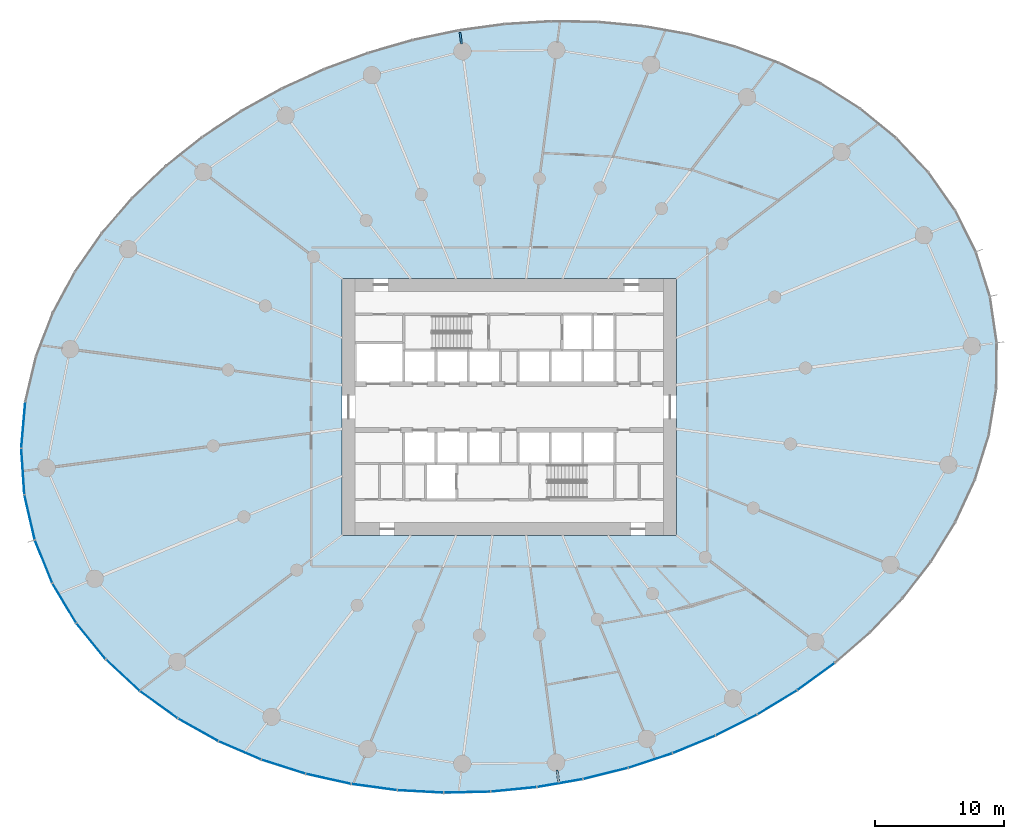
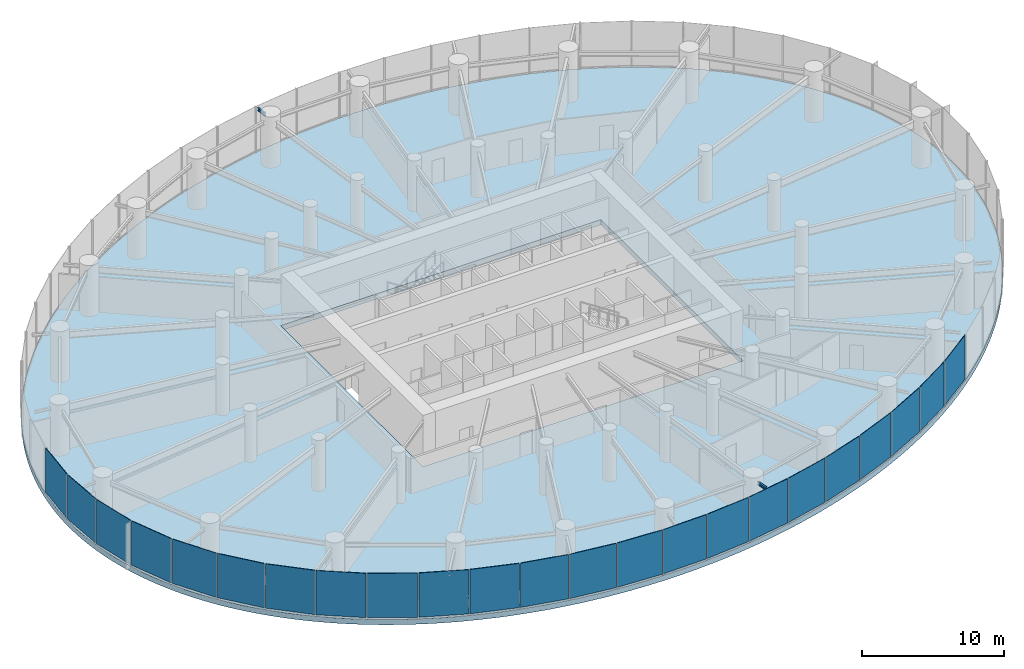
# One storey, part 9 of 18: 23 plates, 2 beams, 1 slab, 5 elements without a shape of their own.
"""IFC4 building model written with IfcOpenShell, lengths in metres."""

import ifcopenshell
import ifcopenshell.guid

model = None  # the IFC model being written
_history = None  # IfcOwnerHistory: only IFC2X3 demands one
_inside = {}  # id of a spatial element -> (the spatial element, [elements in it])
_under = {}  # id of a project, library or spatial element -> (it, [spatial elements below it])
_declared = {}  # id of a project -> (the project, [libraries it declares])
_typed = {}  # id of a type object -> (the type object, [elements of that type])
_made_of = {}  # id of a material, layer set ... -> (it, [elements and type objects made of it])


def new_model(schema):
    """Start an empty IFC model of exactly this schema.

    Asked for "IFC4X3", IfcOpenShell would pick the latest addendum, in which some entities
    have other attributes; the version numbers below select the first issue.
    IFC2X3 requires an IfcOwnerHistory on every rooted entity: one is made here for all.
    """
    global model, _history
    if schema == "IFC4X3":
        model = ifcopenshell.file(schema_version=(4, 3, 0, 0))
    else:
        model = ifcopenshell.file(schema=schema)
    _inside.clear()
    _under.clear()
    _declared.clear()
    _typed.clear()
    _made_of.clear()
    _history = None
    if model.schema == "IFC2X3":
        org = make("IfcOrganization", Name="unknown")
        user = make(
            "IfcPersonAndOrganization",
            ThePerson=make("IfcPerson", FamilyName="unknown"),
            TheOrganization=org,
        )
        app = make(
            "IfcApplication",
            ApplicationDeveloper=org,
            Version="unknown",
            ApplicationFullName="unknown",
            ApplicationIdentifier="unknown",
        )
        _history = make(
            "IfcOwnerHistory",
            OwningUser=user,
            OwningApplication=app,
            ChangeAction="ADDED",
            CreationDate=0,
        )
    return model


def make(cls, **values):
    """One entity of the class cls with the attributes given. An attribute that is None is left unset."""
    return model.create_entity(
        cls, **{name: value for name, value in values.items() if value is not None}
    )


def rooted(cls, **values):
    """An entity with a GlobalId (a new one), such as an element, a storey or a relation."""
    return make(cls, GlobalId=ifcopenshell.guid.new(), OwnerHistory=_history, **values)


def si_unit(unit_type, name, prefix=None):
    """IfcSIUnit, for example si_unit("LENGTHUNIT", "METRE", prefix="MILLI")."""
    return make("IfcSIUnit", UnitType=unit_type, Prefix=prefix, Name=name)


def assignment(units):
    """IfcUnitAssignment: the units of a project."""
    return None if units is None else make("IfcUnitAssignment", Units=units)


def point(xyz):
    """IfcCartesianPoint."""
    return None if xyz is None else make("IfcCartesianPoint", Coordinates=xyz)


def direction(xyz):
    """IfcDirection."""
    return None if xyz is None else make("IfcDirection", DirectionRatios=xyz)


def frame(location, z_axis=None, x_axis=None):
    """IfcAxis2Placement3D, a coordinate frame: its origin and axes. An axis left out is left unset."""
    return make(
        "IfcAxis2Placement3D",
        Location=point(location),
        Axis=direction(z_axis),
        RefDirection=direction(x_axis),
    )


def frame_2d(location, x_axis=None):
    """IfcAxis2Placement2D, a coordinate frame in the plane: its origin and x axis."""
    return make(
        "IfcAxis2Placement2D", Location=point(location), RefDirection=direction(x_axis)
    )


def origin():
    """The frame at (0, 0, 0) with its axes left unset."""
    return frame((0.0, 0.0, 0.0))


def origin_2d():
    """The frame at (0, 0) in the plane with its x axis left unset."""
    return frame_2d((0.0, 0.0))


def place(relative_to, where):
    """IfcLocalPlacement: puts the frame where relative to a parent placement (None: the world)."""
    return make(
        "IfcLocalPlacement", PlacementRelTo=relative_to, RelativePlacement=where
    )


def context(
    kind, dimensions, precision=None, world=None, true_north=None, identifier=None
):
    """IfcGeometricRepresentationContext, for example the 3D "Model" context."""
    return make(
        "IfcGeometricRepresentationContext",
        ContextIdentifier=identifier,
        ContextType=kind,
        CoordinateSpaceDimension=dimensions,
        Precision=precision,
        WorldCoordinateSystem=world,
        TrueNorth=true_north,
    )


def subcontext(parent, identifier, kind, view, scale=None):
    """IfcGeometricRepresentationSubContext, for example "Body" below "Model"."""
    return make(
        "IfcGeometricRepresentationSubContext",
        ContextIdentifier=identifier,
        ContextType=kind,
        ParentContext=parent,
        TargetScale=scale,
        TargetView=view,
    )


def project(units=None, contexts=None):
    """IfcProject with its units and contexts."""
    return rooted(
        "IfcProject",
        Name="project",
        RepresentationContexts=contexts,
        UnitsInContext=assignment(units),
    )


def spatial(cls, under=None, at=None, **own):
    """A site, building, storey or space (cls), placed at a placement, below another one or the project."""
    s = rooted(cls, ObjectPlacement=at, **own)
    if under is not None:
        _under.setdefault(under.id(), (under, []))[1].append(s)
    return s


def point_list(points):
    """IfcCartesianPointList2D or 3D."""
    cls = (
        "IfcCartesianPointList2D" if len(points[0]) == 2 else "IfcCartesianPointList3D"
    )
    return make(cls, CoordList=points)


def line(*indices):
    """IfcLineIndex: a straight run through numbered points of an indexed curve."""
    return model.create_entity("IfcLineIndex", indices)


def indexed_curve(points, segments=None, self_intersect=None):
    """IfcIndexedPolyCurve: lines and arcs through numbered points (the first is 1)."""
    return make(
        "IfcIndexedPolyCurve",
        Points=point_list(points),
        Segments=segments,
        SelfIntersect=self_intersect,
    )


def profile(cls, at=None, kind="AREA", **sizes):
    """A parametric profile (cls). Its sizes go by their IFC names, for example OverallWidth=200.0."""
    return make(cls, ProfileType=kind, Position=at, **sizes)


def rectangle(**sizes):
    """IfcRectangleProfileDef."""
    return profile("IfcRectangleProfileDef", **sizes)


def i_section(**sizes):
    """IfcIShapeProfileDef."""
    return profile("IfcIShapeProfileDef", **sizes)


def outline(outer, holes=None, kind="AREA"):
    """IfcArbitraryClosedProfileDef: a profile drawn as a closed curve; with holes, ...WithVoids."""
    if holes is None:
        return make("IfcArbitraryClosedProfileDef", ProfileType=kind, OuterCurve=outer)
    return make(
        "IfcArbitraryProfileDefWithVoids",
        ProfileType=kind,
        OuterCurve=outer,
        InnerCurves=holes,
    )


def extrude(swept, where, along, depth):
    """IfcExtrudedAreaSolid: the profile swept, set in the frame where, extruded along a direction by depth."""
    return make(
        "IfcExtrudedAreaSolid",
        SweptArea=swept,
        Position=where,
        ExtrudedDirection=direction(along),
        Depth=depth,
    )


def shape(context_of_items, identifier, shape_type, items):
    """IfcShapeRepresentation: the items that make up one representation, for example the "Body"."""
    return make(
        "IfcShapeRepresentation",
        ContextOfItems=context_of_items,
        RepresentationIdentifier=identifier,
        RepresentationType=shape_type,
        Items=items,
    )


def source(mapping_origin, context_of_items, identifier, shape_type, items):
    """IfcRepresentationMap: a shape defined once, which mapped items show again and again."""
    return make(
        "IfcRepresentationMap",
        MappingOrigin=mapping_origin,
        MappedRepresentation=shape(context_of_items, identifier, shape_type, items),
    )


def transform(
    local_origin,
    x_axis=None,
    y_axis=None,
    z_axis=None,
    scale=None,
    scale2=None,
    scale3=None,
    uniform=True,
):
    """IfcCartesianTransformationOperator3D, or its non-uniform kind. x_axis, y_axis, z_axis: its Axis1, 2, 3."""
    if uniform:
        return make(
            "IfcCartesianTransformationOperator3D",
            Axis1=direction(x_axis),
            Axis2=direction(y_axis),
            LocalOrigin=point(local_origin),
            Scale=scale,
            Axis3=direction(z_axis),
        )
    return make(
        "IfcCartesianTransformationOperator3DnonUniform",
        Axis1=direction(x_axis),
        Axis2=direction(y_axis),
        LocalOrigin=point(local_origin),
        Scale=scale,
        Axis3=direction(z_axis),
        Scale2=scale2,
        Scale3=scale3,
    )


def mapped(mapping_source, mapping_target):
    """IfcMappedItem: shows the shape of a source again, moved by a transform."""
    return make(
        "IfcMappedItem", MappingSource=mapping_source, MappingTarget=mapping_target
    )


def material(Name=None, Category=None):
    """IfcMaterial."""
    return make("IfcMaterial", Name=Name, Category=Category)


def layer(
    of_material, thickness, ventilated=None, Name=None, Category=None, Priority=None
):
    """IfcMaterialLayer: one layer of a wall or slab, of a material (None: an air gap)."""
    return make(
        "IfcMaterialLayer",
        Material=of_material,
        LayerThickness=thickness,
        IsVentilated=ventilated,
        Name=Name,
        Category=Category,
        Priority=Priority,
    )


def layer_set(layers, Name=None):
    """IfcMaterialLayerSet."""
    return make("IfcMaterialLayerSet", MaterialLayers=layers, LayerSetName=Name)


def material_profile(
    of_material, cross_section, Name=None, Category=None, Priority=None
):
    """IfcMaterialProfile: a cross section and its material."""
    return make(
        "IfcMaterialProfile",
        Name=Name,
        Material=of_material,
        Profile=cross_section,
        Priority=Priority,
        Category=Category,
    )


def profile_set(profiles, Name=None, composite=None):
    """IfcMaterialProfileSet."""
    return make(
        "IfcMaterialProfileSet",
        Name=Name,
        MaterialProfiles=profiles,
        CompositeProfile=composite,
    )


def made_of(thing, what):
    """Note that an element or type object is made of a material, layer set ...; save() writes the relation."""
    if what is not None:
        _made_of.setdefault(what.id(), (what, []))[1].append(thing)
    return thing


def type_object(cls, material=None, **own):
    """A type object (cls), such as IfcWallType, which elements share."""
    return made_of(rooted(cls, **own), material)


def element(
    cls,
    number,
    at=None,
    inside=None,
    cuts=None,
    type_object=None,
    material=None,
    context=None,
    identifier="Body",
    shape_type=None,
    held_by="IfcProductDefinitionShape",
    body=None,
    shapes=None,
    **own,
):
    """One element of the class cls, such as IfcWall. Its Tag is "e" and its number.

    at: its placement. inside: the storey or other place that contains it. cuts: it is an
    opening in that element (IfcRelVoidsElement). A single representation is given by context,
    identifier, shape_type and body (its items); several are given by shapes. held_by: the class
    of the entity that holds the representations. save() writes the other relations.
    """
    e = rooted(cls, Tag="e%d" % number, ObjectPlacement=at, **own)
    if body is not None:
        shapes = [shape(context, identifier, shape_type, body)]
    if shapes is not None:
        e.Representation = make(held_by, Representations=shapes)
    if inside is not None:
        _inside.setdefault(inside.id(), (inside, []))[1].append(e)
    if cuts is not None:
        rooted(
            "IfcRelVoidsElement", RelatingBuildingElement=cuts, RelatedOpeningElement=e
        )
    if type_object is not None:
        _typed.setdefault(type_object.id(), (type_object, []))[1].append(e)
    return made_of(e, material)


def aggregate(whole, parts):
    """IfcRelAggregates: a whole, such as a stair, and the parts it consists of."""
    return rooted("IfcRelAggregates", RelatingObject=whole, RelatedObjects=parts)


def save(model, path):
    """Write the relations noted so far, then the file.

    IfcRelAggregates (storeys below a building ...), IfcRelContainedInSpatialStructure (elements
    in a storey), IfcRelDefinesByType, IfcRelAssociatesMaterial and IfcRelDeclares: one each for
    every whole, place, type object, material and project.
    """
    for whole, parts in _under.values():
        aggregate(whole, parts)
    for where, things in _inside.values():
        rooted(
            "IfcRelContainedInSpatialStructure",
            RelatedElements=things,
            RelatingStructure=where,
        )
    for kind, things in _typed.values():
        rooted("IfcRelDefinesByType", RelatedObjects=things, RelatingType=kind)
    for what, things in _made_of.values():
        rooted("IfcRelAssociatesMaterial", RelatedObjects=things, RelatingMaterial=what)
    for by, libraries in _declared.values():
        rooted("IfcRelDeclares", RelatingContext=by, RelatedDefinitions=libraries)
    model.write(path)


model = new_model("IFC4")

# Units and contexts
model_context = context("Model", 3, precision=1e-05, world=origin(), true_north=direction((0.0, 1.0)))
body_context = subcontext(model_context, "Body", "Model", "MODEL_VIEW")
ifc_project = project(units=[si_unit("LENGTHUNIT", "METRE"), si_unit("AREAUNIT", "SQUARE_METRE"), si_unit("VOLUMEUNIT", "CUBIC_METRE"), si_unit("PLANEANGLEUNIT", "RADIAN"), si_unit("MASSUNIT", "GRAM", prefix="KILO")], contexts=[model_context])

# Site, building, storey
site_placement = place(None, origin())
site = spatial("IfcSite", under=ifc_project, at=site_placement, CompositionType="ELEMENT")
building_placement = place(site_placement, origin())
building = spatial("IfcBuilding", under=site, at=building_placement, Name="Spindrift Exchange Tower", CompositionType="ELEMENT")
storey_placement = place(building_placement, frame((0.0, 0.0, 62.199951171875)))
storey = spatial("IfcBuildingStorey", under=building, at=storey_placement, Name="L14", CompositionType="ELEMENT", Elevation=62.199951171875)

# Beams
ifc_material_1 = material(Name="Steel Grade 300", Category="steel")
ifc_material_profile = material_profile(ifc_material_1, i_section(OverallWidth=0.14599609375, OverallDepth=0.251953125, WebThickness=0.006103515625, FlangeThickness=0.008544921875, FilletRadius=0.011962890625, at=origin_2d()), Name="250UB31.4")
ifc_profile_set = profile_set([ifc_material_profile], Name="Steel Grade 300")
beam_type = type_object("IfcBeamType", Name="Cantilever Beam 250UB31.4 Steel Grade 300", PredefinedType="BEAM", material=ifc_profile_set)
shared_shape_1 = source(origin(), body_context, "Body", "SweptSolid", [
    extrude(i_section(OverallWidth=0.14599609375, OverallDepth=0.251953125, WebThickness=0.006103515625, FlangeThickness=0.008544921875, FilletRadius=0.011962890625, at=origin_2d()), origin(), (0.0, 0.0, 1.0), 0.88427734375),
])
for number, where, z_axis, x_axis, name in (
    (1, (48.28271484375, 76.236328125, 3.823974609375), (-0.13059020667, 0.991436431609, 0.0), (-0.991436431609, -0.13059020667, 0.0), "L14 cantilever beam R07T"),
    (2, (55.71728515625, 19.763671875, 3.823974609375), (0.13059020667, -0.991436431609, 0.0), (0.991436431609, 0.13059020667, 0.0), "L14 cantilever beam R19T"),
):
    element("IfcBeam", number, at=place(storey_placement, frame(where, z_axis=z_axis, x_axis=x_axis)), inside=storey, type_object=beam_type, Name=name, PredefinedType="BEAM", context=body_context, shape_type="MappedRepresentation", body=[
        mapped(shared_shape_1, transform((0.0, 0.0, 0.0), scale=1.0)),
    ])

# Slab
ifc_material_2 = material(Name="Concrete 50 MPa", Category="concrete")
ifc_layer_1 = layer(ifc_material_2, 0.449951171875)
ifc_layer_set_1 = layer_set([ifc_layer_1], Name="RC Floor Slab 450 Concrete 50 MPa")
slab_type = type_object("IfcSlabType", Name="RC Floor Slab 450 Concrete 50 MPa", PredefinedType="FLOOR", material=ifc_layer_set_1)
slab_placement = place(storey_placement, frame((0.0, 0.0, -0.449951171875)))
element("IfcSlab", 3, at=slab_placement, inside=storey, type_object=slab_type, Name="Floor slab L14", PredefinedType="FLOOR", context=body_context, shape_type="SweptSolid", body=[
    extrude(outline(indexed_curve([(89.373779296875, 56.597412109375), (89.23291015625, 57.175048828125), (89.076904296875, 57.748779296875), (88.906005859375, 58.318359375), (88.720458984375, 58.88330078125), (88.52001953125, 59.443115234375), (88.30517578125, 59.99755859375), (88.076171875, 60.546142578125), (87.8330078125, 61.0888671875), (87.576416015625, 61.625244140625), (87.305908203125, 62.15478515625), (87.0224609375, 62.677490234375), (86.725830078125, 63.19287109375), (86.416748046875, 63.70068359375), (86.09521484375, 64.200927734375), (85.76171875, 64.693115234375), (85.416259765625, 65.17724609375), (85.0595703125, 65.65283203125), (84.69189453125, 66.1201171875), (84.313232421875, 66.57861328125), (83.92431640625, 67.028564453125), (83.525390625, 67.469482421875), (83.11669921875, 67.901123046875), (82.698486328125, 68.323974609375), (82.271240234375, 68.737548828125), (81.835205078125, 69.141845703125), (81.390625, 69.536865234375), (80.93798828125, 69.92236328125), (80.477783203125, 70.298583984375), (80.009765625, 70.66552734375), (79.534423828125, 71.02294921875), (79.05224609375, 71.370849609375), (78.5634765625, 71.70947265625), (78.068359375, 72.03857421875), (77.56689453125, 72.3583984375), (77.059814453125, 72.668701171875), (76.547119140625, 72.9697265625), (76.02880859375, 73.261474609375), (75.505615234375, 73.543701171875), (74.977294921875, 73.81689453125), (74.444580078125, 74.0810546875), (73.907470703125, 74.3359375), (73.365966796875, 74.58154296875), (72.271240234375, 75.0458984375), (71.71826171875, 75.264892578125), (70.602294921875, 75.67578125), (69.47412109375, 76.0517578125), (68.906005859375, 76.226806640625), (68.3349609375, 76.39306640625), (67.186279296875, 76.700439453125), (66.02880859375, 76.97412109375), (65.447509765625, 77.098388671875), (64.8642578125, 77.214599609375), (63.693359375, 77.42236328125), (63.10595703125, 77.51416015625), (61.927490234375, 77.673828125), (61.336669921875, 77.74169921875), (60.15283203125, 77.85400390625), (59.559814453125, 77.898681640625), (58.372314453125, 77.964599609375), (57.183837890625, 78.000244140625), (56.589111328125, 78.006591796875), (55.39990234375, 77.997314453125), (54.8056640625, 77.9814453125), (54.21142578125, 77.958251953125), (53.024169921875, 77.889892578125), (52.431396484375, 77.8447265625), (51.247314453125, 77.73291015625), (50.656494140625, 77.66650390625), (49.477294921875, 77.51171875), (48.88916015625, 77.423828125), (47.71630859375, 77.226806640625), (46.548583984375, 77.001953125), (45.38671875, 76.7490234375), (44.807861328125, 76.6123046875), (43.65576171875, 76.318115234375), (42.5107421875, 75.99658203125), (41.373779296875, 75.647705078125), (40.80859375, 75.462890625), (39.68505859375, 75.0732421875), (38.5712890625, 74.656494140625), (38.018310546875, 74.43798828125), (36.920654296875, 73.980712890625), (36.3759765625, 73.741943359375), (35.2958984375, 73.244140625), (34.760498046875, 72.9853515625), (33.7001953125, 72.447265625), (33.175048828125, 72.168212890625), (32.653564453125, 71.882568359375), (31.621826171875, 71.291015625), (31.112060546875, 70.985107421875), (30.1044921875, 70.353271484375), (29.607177734375, 70.02734375), (28.625732421875, 69.355712890625), (27.663330078125, 68.656982421875), (27.189697265625, 68.297607421875), (26.257568359375, 67.55908203125), (25.799560546875, 67.179931640625), (25.34716796875, 66.794189453125), (24.459716796875, 66.00244140625), (23.596435546875, 65.1845703125), (23.17431640625, 64.765625), (22.350341796875, 63.908203125), (21.948486328125, 63.469970703125), (21.166748046875, 62.57373046875), (20.787109375, 62.1162109375), (20.415283203125, 61.652099609375), (20.05126953125, 61.181884765625), (19.69580078125, 60.70556640625), (19.348388671875, 60.222900390625), (19.009765625, 59.73388671875), (18.68017578125, 59.2392578125), (18.359619140625, 58.73828125), (18.04833984375, 58.231689453125), (17.74658203125, 57.71923828125), (17.454833984375, 57.201171875), (17.173095703125, 56.677490234375), (16.902099609375, 56.148193359375), (16.641357421875, 55.614013671875), (16.3916015625, 55.07421875), (16.15283203125, 54.52978515625), (15.92578125, 53.980224609375), (15.710205078125, 53.426025390625), (15.506591796875, 52.8671875), (15.315185546875, 52.304443359375), (15.13623046875, 51.7373046875), (14.969970703125, 51.16650390625), (14.816650390625, 50.591796875), (14.676513671875, 50.013916015625), (14.5498046875, 49.43310546875), (14.43701171875, 48.849365234375), (14.337890625, 48.262939453125), (14.2529296875, 47.674560546875), (14.182373046875, 47.083984375), (14.126220703125, 46.4921875), (14.084716796875, 45.89892578125), (14.057861328125, 45.304931640625), (14.046142578125, 44.71044921875), (14.04931640625, 44.115966796875), (14.06787109375, 43.521484375), (14.1015625, 42.927978515625), (14.150634765625, 42.335205078125), (14.215087890625, 41.744140625), (14.294921875, 41.155029296875), (14.389892578125, 40.568115234375), (14.50048828125, 39.98388671875), (14.626220703125, 39.402587890625), (14.76708984375, 38.824951171875), (14.923095703125, 38.251220703125), (15.093994140625, 37.681640625), (15.279541015625, 37.11669921875), (15.47998046875, 36.556884765625), (15.69482421875, 36.00244140625), (15.923828125, 35.453857421875), (16.1669921875, 34.9111328125), (16.423583984375, 34.374755859375), (16.694091796875, 33.84521484375), (16.9775390625, 33.322509765625), (17.274169921875, 32.80712890625), (17.583251953125, 32.29931640625), (17.90478515625, 31.799072265625), (18.23828125, 31.306884765625), (18.583740234375, 30.82275390625), (18.9404296875, 30.34716796875), (19.30810546875, 29.8798828125), (19.686767578125, 29.42138671875), (20.07568359375, 28.971435546875), (20.474609375, 28.530517578125), (20.88330078125, 28.098876953125), (21.301513671875, 27.676025390625), (21.728759765625, 27.262451171875), (22.164794921875, 26.858154296875), (22.609375, 26.463134765625), (23.06201171875, 26.07763671875), (23.522216796875, 25.701416015625), (23.990234375, 25.33447265625), (24.465576171875, 24.97705078125), (24.94775390625, 24.629150390625), (25.4365234375, 24.29052734375), (25.931640625, 23.96142578125), (26.43310546875, 23.6416015625), (26.940185546875, 23.331298828125), (27.452880859375, 23.0302734375), (27.97119140625, 22.738525390625), (28.494384765625, 22.456298828125), (29.022705078125, 22.18310546875), (29.555419921875, 21.9189453125), (30.092529296875, 21.6640625), (30.634033203125, 21.41845703125), (31.728759765625, 20.9541015625), (32.28173828125, 20.735107421875), (33.397705078125, 20.32421875), (34.52587890625, 19.9482421875), (35.093994140625, 19.773193359375), (35.6650390625, 19.60693359375), (36.813720703125, 19.299560546875), (37.97119140625, 19.02587890625), (38.552490234375, 18.901611328125), (39.1357421875, 18.785400390625), (40.306640625, 18.57763671875), (40.89404296875, 18.48583984375), (42.072509765625, 18.326171875), (42.663330078125, 18.25830078125), (43.84716796875, 18.14599609375), (44.440185546875, 18.101318359375), (45.627685546875, 18.035400390625), (46.816162109375, 17.999755859375), (47.410888671875, 17.993408203125), (48.60009765625, 18.002685546875), (49.1943359375, 18.0185546875), (49.78857421875, 18.041748046875), (50.975830078125, 18.110107421875), (51.568603515625, 18.1552734375), (52.752685546875, 18.26708984375), (53.343505859375, 18.33349609375), (54.522705078125, 18.48828125), (55.11083984375, 18.576171875), (56.28369140625, 18.773193359375), (57.451416015625, 18.998046875), (58.61328125, 19.2509765625), (59.192138671875, 19.3876953125), (60.34423828125, 19.681884765625), (61.4892578125, 20.00341796875), (62.626220703125, 20.352294921875), (63.19140625, 20.537109375), (64.31494140625, 20.9267578125), (65.4287109375, 21.343505859375), (65.981689453125, 21.56201171875), (67.079345703125, 22.019287109375), (67.6240234375, 22.258056640625), (68.7041015625, 22.755859375), (69.239501953125, 23.0146484375), (70.2998046875, 23.552734375), (70.824951171875, 23.831787109375), (71.346435546875, 24.117431640625), (72.378173828125, 24.708984375), (72.887939453125, 25.014892578125), (73.8955078125, 25.646728515625), (74.392822265625, 25.97265625), (75.374267578125, 26.644287109375), (76.336669921875, 27.343017578125), (76.810302734375, 27.702392578125), (77.742431640625, 28.44091796875), (78.200439453125, 28.820068359375), (78.65283203125, 29.205810546875), (79.540283203125, 29.99755859375), (80.403564453125, 30.8154296875), (80.82568359375, 31.234375), (81.649658203125, 32.091796875), (82.051513671875, 32.530029296875), (82.833251953125, 33.42626953125), (83.212890625, 33.8837890625), (83.584716796875, 34.347900390625), (83.94873046875, 34.818115234375), (84.30419921875, 35.29443359375), (84.651611328125, 35.777099609375), (84.990234375, 36.26611328125), (85.31982421875, 36.7607421875), (85.640380859375, 37.26171875), (85.95166015625, 37.768310546875), (86.25341796875, 38.28076171875), (86.545166015625, 38.798828125), (86.826904296875, 39.322509765625), (87.097900390625, 39.851806640625), (87.358642578125, 40.385986328125), (87.6083984375, 40.92578125), (87.84716796875, 41.47021484375), (88.07421875, 42.019775390625), (88.289794921875, 42.573974609375), (88.493408203125, 43.1328125), (88.684814453125, 43.695556640625), (88.86376953125, 44.2626953125), (89.030029296875, 44.83349609375), (89.183349609375, 45.408203125), (89.323486328125, 45.986083984375), (89.4501953125, 46.56689453125), (89.56298828125, 47.150634765625), (89.662109375, 47.737060546875), (89.7470703125, 48.325439453125), (89.817626953125, 48.916015625), (89.873779296875, 49.5078125), (89.915283203125, 50.10107421875), (89.942138671875, 50.695068359375), (89.953857421875, 51.28955078125), (89.95068359375, 51.884033203125), (89.93212890625, 52.478515625), (89.8984375, 53.072021484375), (89.849365234375, 53.664794921875), (89.784912109375, 54.255859375), (89.705078125, 54.844970703125), (89.610107421875, 55.431884765625), (89.49951171875, 56.01611328125)], segments=[line(1, 2, 3, 4, 5, 6, 7, 8, 9, 10, 11, 12, 13, 14, 15, 16, 17, 18, 19, 20, 21, 22, 23, 24, 25, 26, 27, 28, 29, 30, 31, 32, 33, 34, 35, 36, 37, 38, 39, 40, 41, 42, 43, 44, 45, 46, 47, 48, 49, 50, 51, 52, 53, 54, 55, 56, 57, 58, 59, 60, 61, 62, 63, 64, 65, 66, 67, 68, 69, 70, 71, 72, 73, 74, 75, 76, 77, 78, 79, 80, 81, 82, 83, 84, 85, 86, 87, 88, 89, 90, 91, 92, 93, 94, 95, 96, 97, 98, 99, 100, 101, 102, 103, 104, 105, 106, 107, 108, 109, 110, 111, 112, 113, 114, 115, 116, 117, 118, 119, 120, 121, 122, 123, 124, 125, 126, 127, 128, 129, 130, 131, 132, 133, 134, 135, 136, 137, 138, 139, 140, 141, 142, 143, 144, 145, 146, 147, 148, 149, 150, 151, 152, 153, 154, 155, 156, 157, 158, 159, 160, 161, 162, 163, 164, 165, 166, 167, 168, 169, 170, 171, 172, 173, 174, 175, 176, 177, 178, 179, 180, 181, 182, 183, 184, 185, 186, 187, 188, 189, 190, 191, 192, 193, 194, 195, 196, 197, 198, 199, 200, 201, 202, 203, 204, 205, 206, 207, 208, 209, 210, 211, 212, 213, 214, 215, 216, 217, 218, 219, 220, 221, 222, 223, 224, 225, 226, 227, 228, 229, 230, 231, 232, 233, 234, 235, 236, 237, 238, 239, 240, 241, 242, 243, 244, 245, 246, 247, 248, 249, 250, 251, 252, 253, 254, 255, 256, 257, 258, 259, 260, 261, 262, 263, 264, 265, 266, 267, 268, 269, 270, 271, 272, 273, 274, 275, 276, 277, 278, 279, 280, 281, 282, 283, 284, 285, 286, 287, 288, 289, 290, 291, 292, 1)], self_intersect=False), holes=[indexed_curve([(39.0, 38.0), (65.0, 38.0), (65.0, 58.0), (39.0, 58.0)], segments=[line(1, 2, 3, 4, 1)], self_intersect=False)]), origin(), (0.0, 0.0, 1.0), 0.449951171875),
])

# Curtain wall, plate
ifc_material_3 = material(Name="Fritted laminated glass with bronze frame", Category="glass")
ifc_layer_2 = layer(ifc_material_3, 0.199951171875)
ifc_layer_set_2 = layer_set([ifc_layer_2], Name="ZONE 1 BRONZE FRITTED WALL")
curtain_wall_type = type_object("IfcCurtainWallType", Name="ZONE 1 BRONZE FRITTED WALL", PredefinedType="NOTDEFINED", material=ifc_layer_set_2)
curtain_wall_1_placement = place(storey_placement, origin())
curtain_wall_1 = element("IfcCurtainWall", 4, at=curtain_wall_1_placement, inside=storey, type_object=curtain_wall_type, Name="L14 Zone 1 Bronze Fritted Wall run 6", PredefinedType="NOTDEFINED")
ifc_material_4 = material(Name="Bronze fritted laminated glass, dense frit", Category="glass")
ifc_layer_3 = layer(ifc_material_4, 0.035888671875)
ifc_layer_set_3 = layer_set([ifc_layer_3], Name="ZONE 1 BRONZE FRITTED WALL PANEL DENSE FRIT 300")
plate_type_1 = type_object("IfcPlateType", Name="ZONE 1 BRONZE FRITTED WALL PANEL DENSE FRIT 300", PredefinedType="CURTAIN_PANEL", material=ifc_layer_set_3)
shared_shape_2 = source(origin(), body_context, "Body", "SweptSolid", [
    extrude(rectangle(XDim=3.54638671875, YDim=0.035888671875, at=origin_2d()), origin(), (0.0, 0.0, 1.0), 3.800048828125),
])
plate_1_placement = place(storey_placement, frame((27.792724609375, 22.894287109375, 0.14990234375), z_axis=(0.0, 0.0, 1.0), x_axis=(0.872184556248, -0.489176961685, 0.0)))
plate_1 = element("IfcPlate", 5, at=plate_1_placement, type_object=plate_type_1, Name="L14 panel CW-1.36", PredefinedType="CURTAIN_PANEL", context=body_context, shape_type="MappedRepresentation", body=[
    mapped(shared_shape_2, transform((0.0, 0.0, 0.0), scale=1.0)),
])

# Curtain wall, plates
curtain_wall_2_placement = place(storey_placement, origin())
curtain_wall_2 = element("IfcCurtainWall", 6, at=curtain_wall_2_placement, inside=storey, type_object=curtain_wall_type, Name="L14 Zone 1 Bronze Fritted Wall run 7", PredefinedType="NOTDEFINED")
shared_shape_3 = source(origin(), body_context, "Body", "SweptSolid", [
    extrude(rectangle(XDim=3.546875, YDim=0.035888671875, at=origin_2d()), origin(), (0.0, 0.0, 1.0), 3.800048828125),
])
plate_2_placement = place(storey_placement, frame((34.43310546875, 20.022216796875, 0.14990234375), z_axis=(0.0, 0.0, 1.0), x_axis=(0.952512257468, -0.304500245276, 0.0)))
plate_2 = element("IfcPlate", 7, at=plate_2_placement, type_object=plate_type_1, Name="L14 panel CW-1.38", PredefinedType="CURTAIN_PANEL", context=body_context, shape_type="MappedRepresentation", body=[
    mapped(shared_shape_3, transform((0.0, 0.0, 0.0), scale=1.0)),
])
ifc_layer_4 = layer(ifc_material_4, 0.035888671875)
ifc_layer_set_4 = layer_set([ifc_layer_4], Name="ZONE 1 BRONZE FRITTED WALL PANEL DENSE FRIT 420")
plate_type_2 = type_object("IfcPlateType", Name="ZONE 1 BRONZE FRITTED WALL PANEL DENSE FRIT 420", PredefinedType="CURTAIN_PANEL", material=ifc_layer_set_4)
shared_shape_4 = source(origin(), body_context, "Body", "SweptSolid", [
    extrude(rectangle(XDim=3.547119140625, YDim=0.035888671875, at=origin_2d()), origin(), (0.0, 0.0, 1.0), 3.800048828125),
])
plate_3_placement = place(storey_placement, frame((37.930419921875, 19.075439453125, 0.14990234375), z_axis=(0.0, 0.0, 1.0), x_axis=(0.976058947702, -0.217506162237, 0.0)))
plate_3 = element("IfcPlate", 8, at=plate_3_placement, type_object=plate_type_2, Name="L14 panel CW-1.39", PredefinedType="CURTAIN_PANEL", context=body_context, shape_type="MappedRepresentation", body=[
    mapped(shared_shape_4, transform((0.0, 0.0, 0.0), scale=1.0)),
])
shared_shape_5 = source(origin(), body_context, "Body", "SweptSolid", [
    extrude(rectangle(XDim=3.547119140625, YDim=0.035888671875, at=origin_2d()), origin(), (0.0, 0.0, 1.0), 3.800048828125),
])
plate_4_placement = place(storey_placement, frame((41.497802734375, 18.437744140625, 0.14990234375), z_axis=(0.0, 0.0, 1.0), x_axis=(0.990960502063, -0.134153953918, 0.0)))
plate_4 = element("IfcPlate", 9, at=plate_4_placement, type_object=plate_type_1, Name="L14 panel CW-1.40", PredefinedType="CURTAIN_PANEL", context=body_context, shape_type="MappedRepresentation", body=[
    mapped(shared_shape_5, transform((0.0, 0.0, 0.0), scale=1.0)),
])

# Curtain wall, plate
curtain_wall_3_placement = place(storey_placement, origin())
curtain_wall_3 = element("IfcCurtainWall", 10, at=curtain_wall_3_placement, inside=storey, type_object=curtain_wall_type, Name="L14 Zone 1 Bronze Fritted Wall run 9", PredefinedType="NOTDEFINED")
plate_5_placement = place(storey_placement, frame((72.834716796875, 25.025146484375, 0.14990234375), z_axis=(0.0, 0.0, 1.0), x_axis=(0.854574870493, 0.519328210982, 0.0)))
plate_5 = element("IfcPlate", 11, at=plate_5_placement, type_object=plate_type_1, Name="L14 panel CW-1.49", PredefinedType="CURTAIN_PANEL", context=body_context, shape_type="MappedRepresentation", body=[
    mapped(shared_shape_5, transform((0.0, 0.0, 0.0), scale=1.0)),
])

# Plate
shared_shape_6 = source(origin(), body_context, "Body", "SweptSolid", [
    extrude(rectangle(XDim=3.54736328125, YDim=0.035888671875, at=origin_2d()), origin(), (0.0, 0.0, 1.0), 3.800048828125),
])
plate_6_placement = place(storey_placement, frame((45.10595703125, 18.09619140625, 0.14990234375), z_axis=(0.0, 0.0, 1.0), x_axis=(0.998536103959, -0.054089269633, 0.0)))
plate_6 = element("IfcPlate", 12, at=plate_6_placement, type_object=plate_type_1, Name="L14 panel CW-1.41", PredefinedType="CURTAIN_PANEL", context=body_context, shape_type="MappedRepresentation", body=[
    mapped(shared_shape_6, transform((0.0, 0.0, 0.0), scale=1.0)),
])

plate_7_placement = place(storey_placement, frame((48.730224609375, 18.0400390625, 0.14990234375), z_axis=(0.0, 0.0, 1.0), x_axis=(0.999733743774, 0.023074695225, 0.0)))
plate_7 = element("IfcPlate", 13, at=plate_7_placement, type_object=plate_type_1, Name="L14 panel CW-1.42", PredefinedType="CURTAIN_PANEL", context=body_context, shape_type="MappedRepresentation", body=[
    mapped(shared_shape_6, transform((0.0, 0.0, 0.0), scale=1.0)),
])

# Curtain wall, plates
curtain_wall_4_placement = place(storey_placement, origin())
curtain_wall_4 = element("IfcCurtainWall", 14, at=curtain_wall_4_placement, inside=storey, type_object=curtain_wall_type, Name="L14 Zone 1 Bronze Fritted Wall run 8", PredefinedType="NOTDEFINED")
plate_8_placement = place(storey_placement, frame((55.9404296875, 18.74609375, 0.14990234375), z_axis=(0.0, 0.0, 1.0), x_axis=(0.985337110426, 0.170618811442, 0.0)))
plate_8 = element("IfcPlate", 15, at=plate_8_placement, type_object=plate_type_1, Name="L14 panel CW-1.44", PredefinedType="CURTAIN_PANEL", context=body_context, shape_type="MappedRepresentation", body=[
    mapped(shared_shape_6, transform((0.0, 0.0, 0.0), scale=1.0)),
])
plate_9_placement = place(storey_placement, frame((59.487548828125, 19.494384765625, 0.14990234375), z_axis=(0.0, 0.0, 1.0), x_axis=(0.970305859025, 0.241881251735, 0.0)))
plate_9 = element("IfcPlate", 16, at=plate_9_placement, type_object=plate_type_1, Name="L14 panel CW-1.45", PredefinedType="CURTAIN_PANEL", context=body_context, shape_type="MappedRepresentation", body=[
    mapped(shared_shape_6, transform((0.0, 0.0, 0.0), scale=1.0)),
])
plate_10_placement = place(storey_placement, frame((66.3701171875, 21.757080078125, 0.14990234375), z_axis=(0.0, 0.0, 1.0), x_axis=(0.924352372233, 0.381539895617, 0.0)))
plate_10 = element("IfcPlate", 17, at=plate_10_placement, type_object=plate_type_1, Name="L14 panel CW-1.47", PredefinedType="CURTAIN_PANEL", context=body_context, shape_type="MappedRepresentation", body=[
    mapped(shared_shape_6, transform((0.0, 0.0, 0.0), scale=1.0)),
])
ifc_layer_5 = layer(ifc_material_4, 0.035888671875)
ifc_layer_set_5 = layer_set([ifc_layer_5], Name="ZONE 1 BRONZE FRITTED WALL PANEL DENSE FRIT 180")
plate_type_3 = type_object("IfcPlateType", Name="ZONE 1 BRONZE FRITTED WALL PANEL DENSE FRIT 180", PredefinedType="CURTAIN_PANEL", material=ifc_layer_set_5)
shared_shape_7 = source(origin(), body_context, "Body", "SweptSolid", [
    extrude(rectangle(XDim=3.54736328125, YDim=0.035888671875, at=origin_2d()), origin(), (0.0, 0.0, 1.0), 3.800048828125),
])
plate_11_placement = place(storey_placement, frame((52.348388671875, 18.25927734375, 0.14990234375), z_axis=(0.0, 0.0, 1.0), x_axis=(0.995205062797, 0.09781044414, 0.0)))
plate_11 = element("IfcPlate", 18, at=plate_11_placement, type_object=plate_type_3, Name="L14 panel CW-1.43", PredefinedType="CURTAIN_PANEL", context=body_context, shape_type="MappedRepresentation", body=[
    mapped(shared_shape_7, transform((0.0, 0.0, 0.0), scale=1.0)),
])
plate_12_placement = place(storey_placement, frame((62.970458984375, 20.4990234375, 0.14990234375), z_axis=(0.0, 0.0, 1.0), x_axis=(0.950058145512, 0.312072940426, 0.0)))
plate_12 = element("IfcPlate", 19, at=plate_12_placement, type_object=plate_type_3, Name="L14 panel CW-1.46", PredefinedType="CURTAIN_PANEL", context=body_context, shape_type="MappedRepresentation", body=[
    mapped(shared_shape_7, transform((0.0, 0.0, 0.0), scale=1.0)),
])
shared_shape_8 = source(origin(), body_context, "Body", "SweptSolid", [
    extrude(rectangle(XDim=3.54736328125, YDim=0.035888671875, at=origin_2d()), origin(), (0.0, 0.0, 1.0), 3.800048828125),
])
plate_13_placement = place(storey_placement, frame((69.66552734375, 23.26611328125, 0.14990234375), z_axis=(0.0, 0.0, 1.0), x_axis=(0.892750227385, 0.450551918767, 0.0)))
plate_13 = element("IfcPlate", 20, at=plate_13_placement, type_object=plate_type_2, Name="L14 panel CW-1.48", PredefinedType="CURTAIN_PANEL", context=body_context, shape_type="MappedRepresentation", body=[
    mapped(shared_shape_8, transform((0.0, 0.0, 0.0), scale=1.0)),
])
aggregate(curtain_wall_4, [plate_11, plate_8, plate_9, plate_12, plate_10, plate_13])

# Plate
shared_shape_9 = source(origin(), body_context, "Body", "SweptSolid", [
    extrude(rectangle(XDim=3.547119140625, YDim=0.035888671875, at=origin_2d()), origin(), (0.0, 0.0, 1.0), 3.800048828125),
])
plate_14_placement = place(storey_placement, frame((75.8515625, 27.033203125, 0.14990234375), z_axis=(0.0, 0.0, 1.0), x_axis=(0.808909263517, 0.587933502529, 0.0)))
plate_14 = element("IfcPlate", 21, at=plate_14_placement, type_object=plate_type_3, Name="L14 panel CW-1.50", PredefinedType="CURTAIN_PANEL", context=body_context, shape_type="MappedRepresentation", body=[
    mapped(shared_shape_9, transform((0.0, 0.0, 0.0), scale=1.0)),
])

aggregate(curtain_wall_3, [plate_5, plate_14])

shared_shape_10 = source(origin(), body_context, "Body", "SweptSolid", [
    extrude(rectangle(XDim=3.546630859375, YDim=0.035888671875, at=origin_2d()), origin(), (0.0, 0.0, 1.0), 3.800048828125),
])
plate_15_placement = place(storey_placement, frame((31.039794921875, 21.291015625, 0.14990234375), z_axis=(0.0, 0.0, 1.0), x_axis=(0.918603710047, -0.39517998923, 0.0)))
plate_15 = element("IfcPlate", 22, at=plate_15_placement, type_object=plate_type_3, Name="L14 panel CW-1.37", PredefinedType="CURTAIN_PANEL", context=body_context, shape_type="MappedRepresentation", body=[
    mapped(shared_shape_10, transform((0.0, 0.0, 0.0), scale=1.0)),
])

aggregate(curtain_wall_2, [plate_15, plate_2, plate_3, plate_4, plate_6, plate_7])

# Curtain wall, plates
curtain_wall_5_placement = place(storey_placement, origin())
curtain_wall_5 = element("IfcCurtainWall", 23, at=curtain_wall_5_placement, inside=storey, type_object=curtain_wall_type, Name="L14 Zone 1 Bronze Fritted Wall run 5", PredefinedType="NOTDEFINED")
shared_shape_11 = source(origin(), body_context, "Body", "SweptSolid", [
    extrude(rectangle(XDim=3.54443359375, YDim=0.035888671875, at=origin_2d()), origin(), (0.0, 0.0, 1.0), 3.800048828125),
])
plate_16_placement = place(storey_placement, frame((14.168701171875, 42.992919921875, 0.14990234375), z_axis=(0.0, 0.0, 1.0), x_axis=(0.067181190255, -0.997740791827, 0.0)))
plate_16 = element("IfcPlate", 24, at=plate_16_placement, type_object=plate_type_3, Name="L14 panel CW-1.29", PredefinedType="CURTAIN_PANEL", context=body_context, shape_type="MappedRepresentation", body=[
    mapped(shared_shape_11, transform((0.0, 0.0, 0.0), scale=1.0)),
])
shared_shape_12 = source(origin(), body_context, "Body", "SweptSolid", [
    extrude(rectangle(XDim=3.54443359375, YDim=0.035888671875, at=origin_2d()), origin(), (0.0, 0.0, 1.0), 3.800048828125),
])
plate_17_placement = place(storey_placement, frame((14.69677734375, 39.418701171875, 0.14990234375), z_axis=(0.0, 0.0, 1.0), x_axis=(0.22420442649, -0.974542136155, 0.0)))
plate_17 = element("IfcPlate", 25, at=plate_17_placement, type_object=plate_type_1, Name="L14 panel CW-1.30", PredefinedType="CURTAIN_PANEL", context=body_context, shape_type="MappedRepresentation", body=[
    mapped(shared_shape_12, transform((0.0, 0.0, 0.0), scale=1.0)),
])

# Plate
plate_18_placement = place(storey_placement, frame((15.783447265625, 35.97314453125, 0.14990234375), z_axis=(0.0, 0.0, 1.0), x_axis=(0.375530422908, -0.926810067636, 0.0)))
plate_18 = element("IfcPlate", 26, at=plate_18_placement, type_object=plate_type_1, Name="L14 panel CW-1.31", PredefinedType="CURTAIN_PANEL", context=body_context, shape_type="MappedRepresentation", body=[
    mapped(shared_shape_12, transform((0.0, 0.0, 0.0), scale=1.0)),
])

shared_shape_13 = source(origin(), body_context, "Body", "SweptSolid", [
    extrude(rectangle(XDim=3.544921875, YDim=0.035888671875, at=origin_2d()), origin(), (0.0, 0.0, 1.0), 3.800048828125),
])
plate_19_placement = place(storey_placement, frame((14.204345703125, 46.606689453125, 0.14990234375), z_axis=(0.0, 0.0, 1.0), x_axis=(-0.086874071853, -0.996219300977, 0.0)))
plate_19 = element("IfcPlate", 27, at=plate_19_placement, type_object=plate_type_2, Name="L14 panel CW-1.28", PredefinedType="CURTAIN_PANEL", context=body_context, shape_type="MappedRepresentation", body=[
    mapped(shared_shape_13, transform((0.0, 0.0, 0.0), scale=1.0)),
])

aggregate(curtain_wall_5, [plate_19, plate_16, plate_17])

plate_20_placement = place(storey_placement, frame((17.39453125, 32.73828125, 0.14990234375), z_axis=(0.0, 0.0, 1.0), x_axis=(0.513407958949, -0.858144665944, 0.0)))
plate_20 = element("IfcPlate", 28, at=plate_20_placement, type_object=plate_type_2, Name="L14 panel CW-1.32", PredefinedType="CURTAIN_PANEL", context=body_context, shape_type="MappedRepresentation", body=[
    mapped(shared_shape_13, transform((0.0, 0.0, 0.0), scale=1.0)),
])

shared_shape_14 = source(origin(), body_context, "Body", "SweptSolid", [
    extrude(rectangle(XDim=3.545654296875, YDim=0.035888671875, at=origin_2d()), origin(), (0.0, 0.0, 1.0), 3.800048828125),
])
plate_21_placement = place(storey_placement, frame((21.9453125, 27.14013671875, 0.14990234375), z_axis=(0.0, 0.0, 1.0), x_axis=(0.731613136623, -0.681720043948, 0.0)))
plate_21 = element("IfcPlate", 29, at=plate_21_placement, type_object=plate_type_1, Name="L14 panel CW-1.34", PredefinedType="CURTAIN_PANEL", context=body_context, shape_type="MappedRepresentation", body=[
    mapped(shared_shape_14, transform((0.0, 0.0, 0.0), scale=1.0)),
])

shared_shape_15 = source(origin(), body_context, "Body", "SweptSolid", [
    extrude(rectangle(XDim=3.546142578125, YDim=0.035888671875, at=origin_2d()), origin(), (0.0, 0.0, 1.0), 3.800048828125),
])
plate_22_placement = place(storey_placement, frame((24.741455078125, 24.8427734375, 0.14990234375), z_axis=(0.0, 0.0, 1.0), x_axis=(0.810729838312, -0.585420472199, 0.0)))
plate_22 = element("IfcPlate", 30, at=plate_22_placement, type_object=plate_type_1, Name="L14 panel CW-1.35", PredefinedType="CURTAIN_PANEL", context=body_context, shape_type="MappedRepresentation", body=[
    mapped(shared_shape_15, transform((0.0, 0.0, 0.0), scale=1.0)),
])

shared_shape_16 = source(origin(), body_context, "Body", "SweptSolid", [
    extrude(rectangle(XDim=3.545166015625, YDim=0.035888671875, at=origin_2d()), origin(), (0.0, 0.0, 1.0), 3.800048828125),
])
plate_23_placement = place(storey_placement, frame((19.471923828125, 29.779541015625, 0.14990234375), z_axis=(0.0, 0.0, 1.0), x_axis=(0.632771553185, -0.774338531574, 0.0)))
plate_23 = element("IfcPlate", 31, at=plate_23_placement, type_object=plate_type_2, Name="L14 panel CW-1.33", PredefinedType="CURTAIN_PANEL", context=body_context, shape_type="MappedRepresentation", body=[
    mapped(shared_shape_16, transform((0.0, 0.0, 0.0), scale=1.0)),
])

aggregate(curtain_wall_1, [plate_18, plate_20, plate_23, plate_21, plate_22, plate_1])

save(model, "model.ifc")
